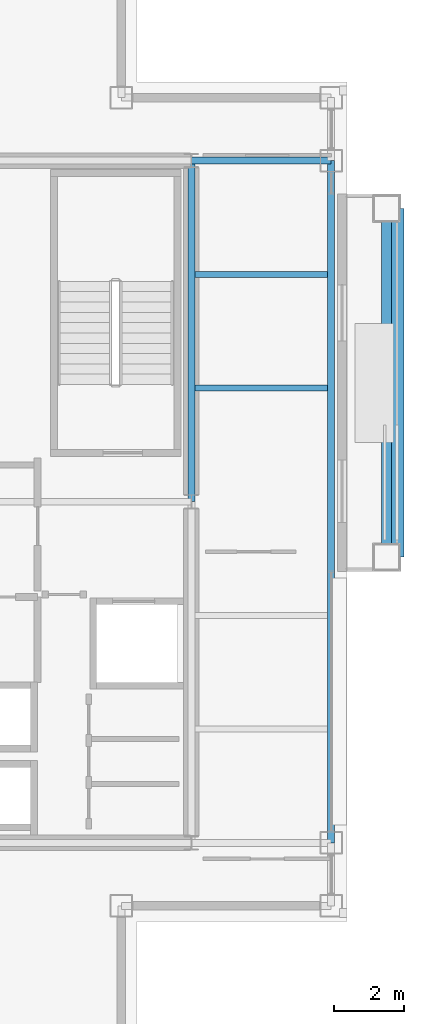
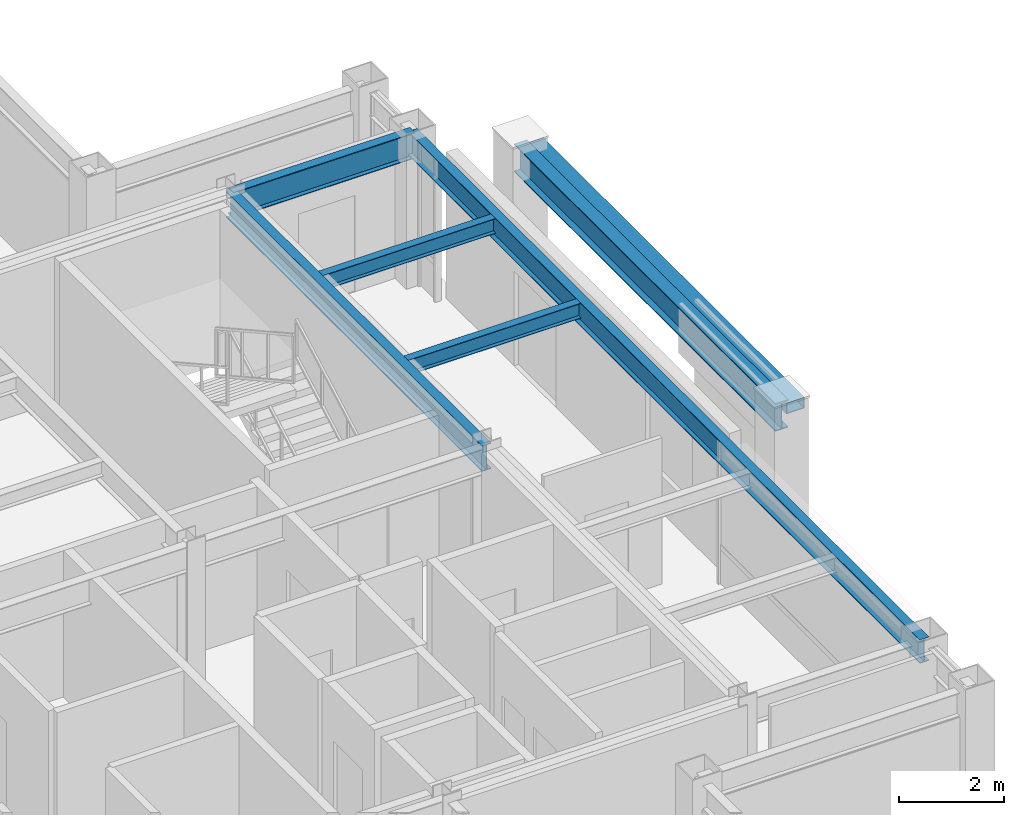
# One storey, part 12 of 24: 6 beams, 1 member.
"""IFC4 building model written with IfcOpenShell, lengths in metres."""

from ifc_helpers import new_model, si_unit, direction, frame, origin, origin_2d, place, context, subcontext, project, spatial, hollow_rectangle, i_section, extrude, material, material_profile, profile_set, type_object, element, save


model = new_model("IFC4")

# Units and contexts
model_context = context("Model", 3, precision=1e-05, world=origin(), true_north=direction((0.0, 1.0)))
body_context = subcontext(model_context, "Body", "Model", "MODEL_VIEW")
ifc_project = project(units=[si_unit("LENGTHUNIT", "METRE"), si_unit("AREAUNIT", "SQUARE_METRE"), si_unit("VOLUMEUNIT", "CUBIC_METRE"), si_unit("PLANEANGLEUNIT", "RADIAN"), si_unit("MASSUNIT", "GRAM", prefix="KILO")], contexts=[model_context])

# Site, building, storey
site_placement = place(None, origin())
site = spatial("IfcSite", under=ifc_project, at=site_placement, CompositionType="ELEMENT")
building_placement = place(site_placement, origin())
building = spatial("IfcBuilding", under=site, at=building_placement, Name="Brelmoor Portico Tower", CompositionType="ELEMENT")
storey_placement = place(building_placement, frame((0.0, 0.0, 240.0)))
storey = spatial("IfcBuildingStorey", under=building, at=storey_placement, Name="L63", CompositionType="ELEMENT", Elevation=240.0)

# Beams
ifc_material_1 = material(Name="Steel Q355B", Category="steel")
ifc_material_profile_1 = material_profile(ifc_material_1, i_section(OverallWidth=0.175048828125, OverallDepth=0.35009765625, WebThickness=0.007080078125, FlangeThickness=0.010986328125, at=origin_2d()), Name="HN 350x175x7x11")
ifc_profile_set_1 = profile_set([ifc_material_profile_1], Name="Steel Q355B")
beam_type_1 = type_object("IfcBeamType", Name="BM-JS-350", PredefinedType="JOIST", material=ifc_profile_set_1)
for number, where, z_axis, x_axis, name in (
    (1, (14.64990234375, 3.25, 3.22509765625), (1.0, 0.0, 0.0), (0.0, 1.0, 0.0), "L63 Secondary Wing Joist JS-E13"),
    (2, (14.64990234375, 6.5, 3.22509765625), (1.0, 0.0, 0.0), (0.0, 1.0, 0.0), "L63 Secondary Wing Joist JS-E14"),
):
    element("IfcBeam", number, at=place(storey_placement, frame(where, z_axis=z_axis, x_axis=x_axis)), inside=storey, type_object=beam_type_1, Name=name, PredefinedType="JOIST", context=body_context, shape_type="SweptSolid", body=[
        extrude(i_section(OverallWidth=0.175048828125, OverallDepth=0.35009765625, WebThickness=0.007080078125, FlangeThickness=0.010986328125, at=origin_2d()), origin(), (0.0, 0.0, 1.0), 3.800048828125),
    ])
ifc_material_profile_2 = material_profile(ifc_material_1, i_section(OverallWidth=0.199951171875, OverallDepth=0.60009765625, WebThickness=0.010986328125, FlangeThickness=0.01708984375, at=origin_2d()), Name="HN 600x200x11x17")
ifc_profile_set_2 = profile_set([ifc_material_profile_2], Name="Steel Q355B")
beam_type_2 = type_object("IfcBeamType", Name="BM-PG-600", PredefinedType="BEAM", material=ifc_profile_set_2)
beam_1_placement = place(storey_placement, frame((14.550048828125, 0.0, 3.10009765625), z_axis=(0.0, 1.0, 0.0), x_axis=(-1.0, 0.0, 0.0)))
element("IfcBeam", 3, at=beam_1_placement, inside=storey, type_object=beam_type_2, Name="L63 Primary Floor Girder PG-10", PredefinedType="BEAM", context=body_context, shape_type="SweptSolid", body=[
    extrude(i_section(OverallWidth=0.199951171875, OverallDepth=0.60009765625, WebThickness=0.010986328125, FlangeThickness=0.01708984375, at=origin_2d()), origin(), (0.0, 0.0, 1.0), 9.75),
])
beam_2_placement = place(storey_placement, frame((14.550048828125, 9.75, 3.10009765625), z_axis=(1.0, 0.0, 0.0), x_axis=(0.0, 1.0, 0.0)))
element("IfcBeam", 4, at=beam_2_placement, inside=storey, type_object=beam_type_2, Name="L63 Primary Floor Girder PG-23", PredefinedType="BEAM", context=body_context, shape_type="SweptSolid", body=[
    extrude(i_section(OverallWidth=0.199951171875, OverallDepth=0.60009765625, WebThickness=0.010986328125, FlangeThickness=0.01708984375, at=origin_2d()), origin(), (0.0, 0.0, 1.0), 4.0),
])
ifc_material_profile_3 = material_profile(ifc_material_1, i_section(OverallWidth=0.199951171875, OverallDepth=0.550048828125, WebThickness=0.010009765625, FlangeThickness=0.01611328125, at=origin_2d()), Name="HN 550x200x10x16")
ifc_profile_set_3 = profile_set([ifc_material_profile_3], Name="Steel Q355B")
beam_type_3 = type_object("IfcBeamType", Name="BM-SP-550", PredefinedType="SPANDREL", material=ifc_profile_set_3)
beam_3_placement = place(storey_placement, frame((18.550048828125, -9.75, 3.125), z_axis=(0.0, 1.0, 0.0), x_axis=(-1.0, 0.0, 0.0)))
element("IfcBeam", 5, at=beam_3_placement, inside=storey, type_object=beam_type_3, Name="L63 Perimeter Spandrel Beam SP-19", PredefinedType="SPANDREL", context=body_context, shape_type="SweptSolid", body=[
    extrude(i_section(OverallWidth=0.199951171875, OverallDepth=0.550048828125, WebThickness=0.010009765625, FlangeThickness=0.01611328125, at=origin_2d()), origin(), (0.0, 0.0, 1.0), 19.5),
])
ifc_material_profile_4 = material_profile(ifc_material_1, i_section(OverallWidth=0.280029296875, OverallDepth=0.64990234375, WebThickness=0.012939453125, FlangeThickness=0.02197265625, at=origin_2d()), Name="HN 650x280x13x22")
ifc_profile_set_4 = profile_set([ifc_material_profile_4], Name="Steel Q355B")
beam_type_4 = type_object("IfcBeamType", Name="BM-SP-650", PredefinedType="SPANDREL", material=ifc_profile_set_4)
beam_4_placement = place(storey_placement, frame((20.1298828125, -1.580078125, 3.074951171875), z_axis=(0.0, 1.0, 0.0), x_axis=(-1.0, 0.0, 0.0)))
element("IfcBeam", 6, at=beam_4_placement, inside=storey, type_object=beam_type_4, Name="L63 Picture-Frame Perimeter Lintel Beam E1", PredefinedType="SPANDREL", context=body_context, shape_type="SweptSolid", body=[
    extrude(i_section(OverallWidth=0.280029296875, OverallDepth=0.64990234375, WebThickness=0.012939453125, FlangeThickness=0.02197265625, at=origin_2d()), origin(), (0.0, 0.0, 1.0), 9.9599609375),
])

# Member
ifc_material_2 = material(Name="Pale Champagne Fluoropolymer-Coated Steel Q355B", Category="steel")
ifc_material_profile_5 = material_profile(ifc_material_2, hollow_rectangle(XDim=0.25, YDim=0.39990234375, WallThickness=0.013916015625, at=origin_2d()), Name="RHS 250x400x14")
ifc_profile_set_5 = profile_set([ifc_material_profile_5], Name="Pale Champagne Fluoropolymer-Coated Steel Q355B")
member_type = type_object("IfcMemberType", Name="MB-PF-HEADER", PredefinedType="MEMBER", material=ifc_profile_set_5)
member_placement = place(storey_placement, frame((20.429931640625, -1.580078125, 3.199951171875), z_axis=(0.0, 1.0, 0.0), x_axis=(0.0, 0.0, 1.0)))
element("IfcMember", 7, at=member_placement, inside=storey, type_object=member_type, Name="L63 Picture-Frame Header E", PredefinedType="MEMBER", context=body_context, shape_type="SweptSolid", body=[
    extrude(hollow_rectangle(XDim=0.25, YDim=0.39990234375, WallThickness=0.013916015625, at=origin_2d()), origin(), (0.0, 0.0, 1.0), 9.9599609375),
])

save(model, "model.ifc")
